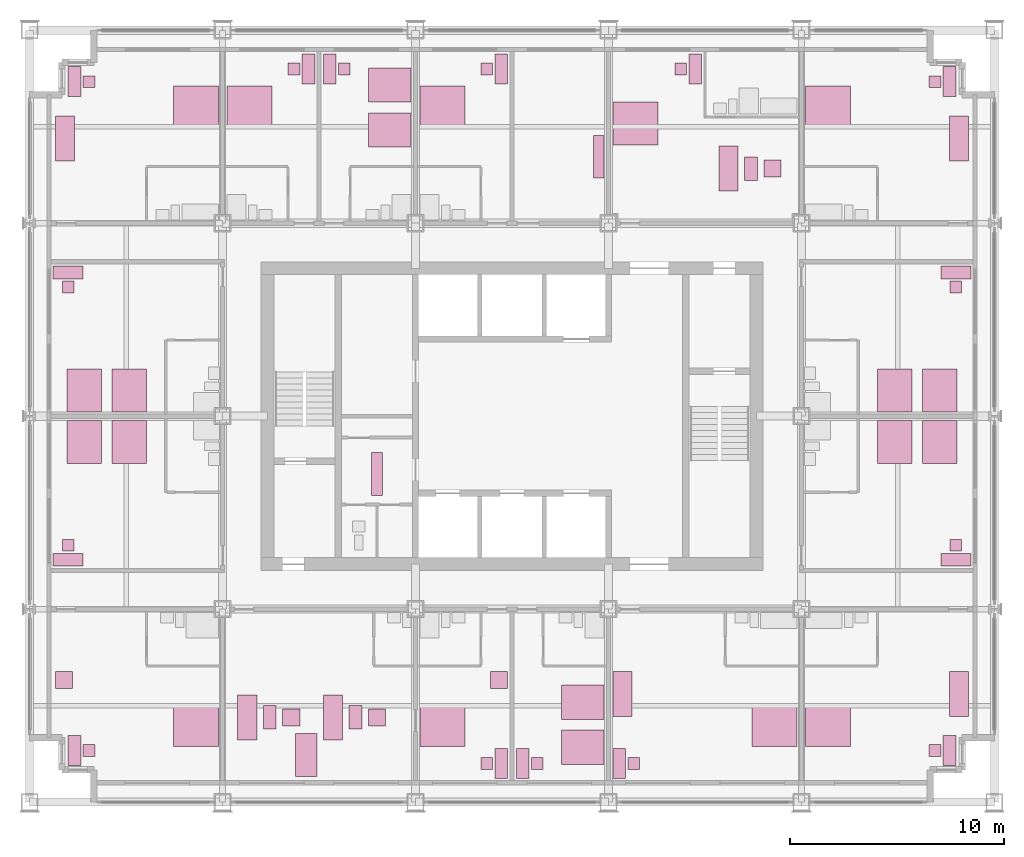
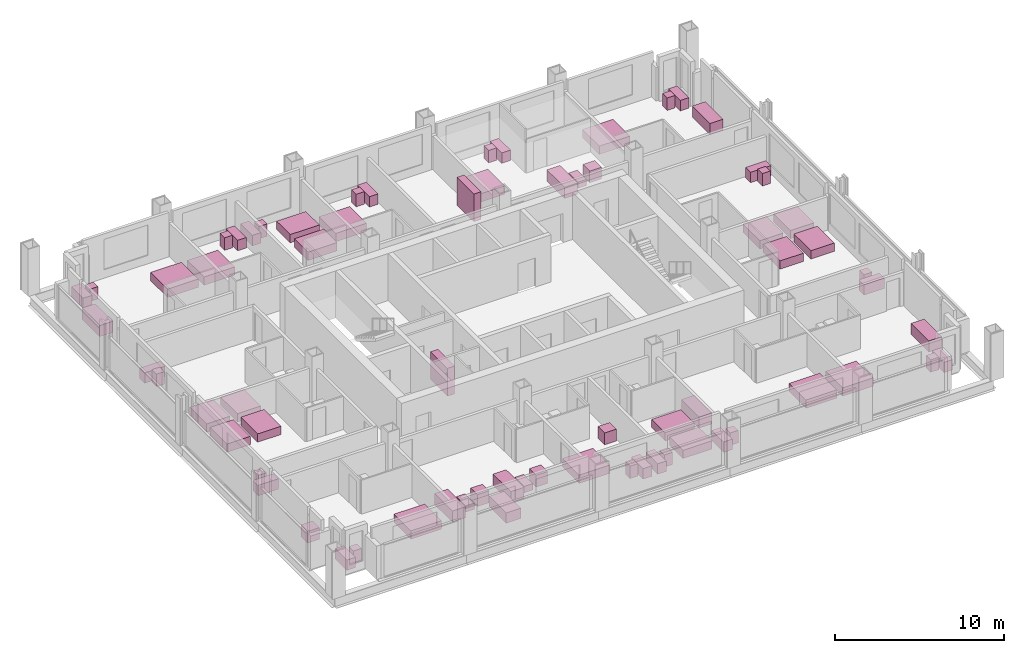
# One storey, part 16 of 16: 69 furniture elements.
"""IFC4 building model written with IfcOpenShell, lengths in metres."""

from ifc_helpers import new_model, si_unit, direction, frame, origin, origin_2d, place, context, subcontext, project, spatial, rectangle, extrude, element, save


model = new_model("IFC4")

# Units and contexts
model_context = context("Model", 3, precision=1e-05, world=origin(), true_north=direction((0.0, 1.0)))
body_context = subcontext(model_context, "Body", "Model", "MODEL_VIEW")
ifc_project = project(units=[si_unit("LENGTHUNIT", "METRE"), si_unit("AREAUNIT", "SQUARE_METRE"), si_unit("VOLUMEUNIT", "CUBIC_METRE"), si_unit("PLANEANGLEUNIT", "RADIAN"), si_unit("MASSUNIT", "GRAM", prefix="KILO")], contexts=[model_context])

# Site, building, storey
site_placement = place(None, origin())
site = spatial("IfcSite", under=ifc_project, at=site_placement, CompositionType="ELEMENT")
building_placement = place(site_placement, origin())
building = spatial("IfcBuilding", under=site, at=building_placement, Name="Loomwork Tower", CompositionType="ELEMENT")
storey_placement = place(building_placement, frame((0.0, 0.0, 128.199951171875)))
storey = spatial("IfcBuildingStorey", under=building, at=storey_placement, Name="L34", CompositionType="ELEMENT", Elevation=128.199951171875)

# Furniture
furniture_1_placement = place(storey_placement, frame((7.75, 3.60009765625, 0.0), z_axis=(0.0, 0.0, 1.0), x_axis=(1.0, 0.0, 0.0)))
element("IfcFurniture", 1, at=furniture_1_placement, inside=storey, Name="King bed L34", PredefinedType="BED", context=body_context, shape_type="SweptSolid", body=[
    extrude(rectangle(XDim=2.10009765625, YDim=2.0, at=origin_2d()), origin(), (0.0, 0.0, 1.0), 0.60009765625),
])
furniture_2_placement = place(storey_placement, frame((2.10009765625, 2.39990234375, 0.0), z_axis=(0.0, 0.0, 1.0), x_axis=(1.0, 0.0, 0.0)))
element("IfcFurniture", 2, at=furniture_2_placement, inside=storey, Name="Writing desk L34", PredefinedType="DESK", context=body_context, shape_type="SweptSolid", body=[
    extrude(rectangle(XDim=0.60009765625, YDim=1.39990234375, at=origin_2d()), origin(), (0.0, 0.0, 1.0), 0.75),
])
furniture_3_placement = place(storey_placement, frame((2.77490234375, 2.39990234375, 0.0), z_axis=(0.0, 0.0, 1.0), x_axis=(1.0, 0.0, 0.0)))
element("IfcFurniture", 3, at=furniture_3_placement, inside=storey, Name="Desk chair L34", PredefinedType="CHAIR", context=body_context, shape_type="SweptSolid", body=[
    extrude(rectangle(XDim=0.550048828125, YDim=0.550048828125, at=origin_2d()), origin(), (0.0, 0.0, 1.0), 0.89990234375),
])
furniture_4_placement = place(storey_placement, frame((1.60009765625, 5.699951171875, 0.0), z_axis=(0.0, 0.0, 1.0), x_axis=(1.0, 0.0, 0.0)))
element("IfcFurniture", 4, at=furniture_4_placement, inside=storey, Name="Lounge armchair L34", PredefinedType="CHAIR", context=body_context, shape_type="SweptSolid", body=[
    extrude(rectangle(XDim=0.800048828125, YDim=0.800048828125, at=origin_2d()), origin(), (0.0, 0.0, 1.0), 0.85009765625),
])
furniture_5_placement = place(storey_placement, frame((10.14990234375, 3.949951171875, 0.0), z_axis=(0.0, 0.0, 1.0), x_axis=(1.0, 0.0, 0.0)))
element("IfcFurniture", 5, at=furniture_5_placement, inside=storey, Name="Sofa L34", PredefinedType="SOFA", context=body_context, shape_type="SweptSolid", body=[
    extrude(rectangle(XDim=0.89990234375, YDim=2.10009765625, at=origin_2d()), origin(), (0.0, 0.0, 1.0), 0.800048828125),
])
furniture_6_placement = place(storey_placement, frame((11.199951171875, 3.949951171875, 0.0), z_axis=(0.0, 0.0, 1.0), x_axis=(1.0, 0.0, 0.0)))
element("IfcFurniture", 6, at=furniture_6_placement, inside=storey, Name="Coffee table L34", PredefinedType="TABLE", context=body_context, shape_type="SweptSolid", body=[
    extrude(rectangle(XDim=0.60009765625, YDim=1.10009765625, at=origin_2d()), origin(), (0.0, 0.0, 1.0), 0.449951171875),
])
furniture_7_placement = place(storey_placement, frame((12.199951171875, 3.949951171875, 0.0), z_axis=(0.0, 0.0, 1.0), x_axis=(1.0, 0.0, 0.0)))
element("IfcFurniture", 7, at=furniture_7_placement, inside=storey, Name="Lounge armchair L34", PredefinedType="CHAIR", context=body_context, shape_type="SweptSolid", body=[
    extrude(rectangle(XDim=0.800048828125, YDim=0.800048828125, at=origin_2d()), origin(), (0.0, 0.0, 1.0), 0.85009765625),
])
furniture_8_placement = place(storey_placement, frame((14.14990234375, 3.949951171875, 0.0), z_axis=(0.0, 0.0, 1.0), x_axis=(1.0, 0.0, 0.0)))
element("IfcFurniture", 8, at=furniture_8_placement, inside=storey, Name="Sofa L34", PredefinedType="SOFA", context=body_context, shape_type="SweptSolid", body=[
    extrude(rectangle(XDim=0.89990234375, YDim=2.10009765625, at=origin_2d()), origin(), (0.0, 0.0, 1.0), 0.800048828125),
])
furniture_9_placement = place(storey_placement, frame((15.199951171875, 3.949951171875, 0.0), z_axis=(0.0, 0.0, 1.0), x_axis=(1.0, 0.0, 0.0)))
element("IfcFurniture", 9, at=furniture_9_placement, inside=storey, Name="Coffee table L34", PredefinedType="TABLE", context=body_context, shape_type="SweptSolid", body=[
    extrude(rectangle(XDim=0.60009765625, YDim=1.10009765625, at=origin_2d()), origin(), (0.0, 0.0, 1.0), 0.449951171875),
])
furniture_10_placement = place(storey_placement, frame((16.199951171875, 3.949951171875, 0.0), z_axis=(0.0, 0.0, 1.0), x_axis=(1.0, 0.0, 0.0)))
element("IfcFurniture", 10, at=furniture_10_placement, inside=storey, Name="Lounge armchair L34", PredefinedType="CHAIR", context=body_context, shape_type="SweptSolid", body=[
    extrude(rectangle(XDim=0.800048828125, YDim=0.800048828125, at=origin_2d()), origin(), (0.0, 0.0, 1.0), 0.85009765625),
])
furniture_11_placement = place(storey_placement, frame((12.89990234375, 2.199951171875, 0.0), z_axis=(0.0, 0.0, 1.0), x_axis=(1.0, 0.0, 0.0)))
element("IfcFurniture", 11, at=furniture_11_placement, inside=storey, Name="Dining table L34", PredefinedType="TABLE", context=body_context, shape_type="SweptSolid", body=[
    extrude(rectangle(XDim=1.0, YDim=2.0, at=origin_2d()), origin(), (0.0, 0.0, 1.0), 0.75),
])
furniture_12_placement = place(storey_placement, frame((19.25, 3.60009765625, 0.0), z_axis=(0.0, 0.0, 1.0), x_axis=(1.0, 0.0, 0.0)))
element("IfcFurniture", 12, at=furniture_12_placement, inside=storey, Name="King bed L34", PredefinedType="BED", context=body_context, shape_type="SweptSolid", body=[
    extrude(rectangle(XDim=2.10009765625, YDim=2.0, at=origin_2d()), origin(), (0.0, 0.0, 1.0), 0.60009765625),
])
furniture_13_placement = place(storey_placement, frame((22.0, 1.800048828125, 0.0), z_axis=(0.0, 0.0, 1.0), x_axis=(1.0, 0.0, 0.0)))
element("IfcFurniture", 13, at=furniture_13_placement, inside=storey, Name="Writing desk L34", PredefinedType="DESK", context=body_context, shape_type="SweptSolid", body=[
    extrude(rectangle(XDim=0.60009765625, YDim=1.39990234375, at=origin_2d()), origin(), (0.0, 0.0, 1.0), 0.75),
])
furniture_14_placement = place(storey_placement, frame((21.324951171875, 1.800048828125, 0.0), z_axis=(0.0, 0.0, 1.0), x_axis=(1.0, 0.0, 0.0)))
element("IfcFurniture", 14, at=furniture_14_placement, inside=storey, Name="Desk chair L34", PredefinedType="CHAIR", context=body_context, shape_type="SweptSolid", body=[
    extrude(rectangle(XDim=0.550048828125, YDim=0.550048828125, at=origin_2d()), origin(), (0.0, 0.0, 1.0), 0.89990234375),
])
furniture_15_placement = place(storey_placement, frame((21.89990234375, 5.699951171875, 0.0), z_axis=(0.0, 0.0, 1.0), x_axis=(1.0, 0.0, 0.0)))
element("IfcFurniture", 15, at=furniture_15_placement, inside=storey, Name="Lounge armchair L34", PredefinedType="CHAIR", context=body_context, shape_type="SweptSolid", body=[
    extrude(rectangle(XDim=0.800048828125, YDim=0.800048828125, at=origin_2d()), origin(), (0.0, 0.0, 1.0), 0.85009765625),
])
for number, where, z_axis, x_axis, name in (
    (16, (25.800048828125, 4.64990234375, 0.0), (0.0, 0.0, 1.0), (1.0, 0.0, 0.0), "Queen bed L34"),
    (17, (25.800048828125, 2.550048828125, 0.0), (0.0, 0.0, 1.0), (1.0, 0.0, 0.0), "Queen bed L34"),
):
    element("IfcFurniture", number, at=place(storey_placement, frame(where, z_axis=z_axis, x_axis=x_axis)), inside=storey, Name=name, PredefinedType="BED", context=body_context, shape_type="SweptSolid", body=[
        extrude(rectangle(XDim=2.0, YDim=1.60009765625, at=origin_2d()), origin(), (0.0, 0.0, 1.0), 0.60009765625),
    ])
furniture_16_placement = place(storey_placement, frame((23.0, 1.800048828125, 0.0), z_axis=(0.0, 0.0, 1.0), x_axis=(1.0, 0.0, 0.0)))
element("IfcFurniture", 18, at=furniture_16_placement, inside=storey, Name="Writing desk L34", PredefinedType="DESK", context=body_context, shape_type="SweptSolid", body=[
    extrude(rectangle(XDim=0.60009765625, YDim=1.39990234375, at=origin_2d()), origin(), (0.0, 0.0, 1.0), 0.75),
])
furniture_17_placement = place(storey_placement, frame((23.675048828125, 1.800048828125, 0.0), z_axis=(0.0, 0.0, 1.0), x_axis=(1.0, 0.0, 0.0)))
element("IfcFurniture", 19, at=furniture_17_placement, inside=storey, Name="Desk chair L34", PredefinedType="CHAIR", context=body_context, shape_type="SweptSolid", body=[
    extrude(rectangle(XDim=0.550048828125, YDim=0.550048828125, at=origin_2d()), origin(), (0.0, 0.0, 1.0), 0.89990234375),
])
furniture_18_placement = place(storey_placement, frame((34.75, 3.60009765625, 0.0), z_axis=(0.0, 0.0, 1.0), x_axis=(1.0, 0.0, 0.0)))
element("IfcFurniture", 20, at=furniture_18_placement, inside=storey, Name="King bed L34", PredefinedType="BED", context=body_context, shape_type="SweptSolid", body=[
    extrude(rectangle(XDim=2.10009765625, YDim=2.0, at=origin_2d()), origin(), (0.0, 0.0, 1.0), 0.60009765625),
])
furniture_19_placement = place(storey_placement, frame((27.5, 1.800048828125, 0.0), z_axis=(0.0, 0.0, 1.0), x_axis=(1.0, 0.0, 0.0)))
element("IfcFurniture", 21, at=furniture_19_placement, inside=storey, Name="Writing desk L34", PredefinedType="DESK", context=body_context, shape_type="SweptSolid", body=[
    extrude(rectangle(XDim=0.60009765625, YDim=1.39990234375, at=origin_2d()), origin(), (0.0, 0.0, 1.0), 0.75),
])
furniture_20_placement = place(storey_placement, frame((28.175048828125, 1.800048828125, 0.0), z_axis=(0.0, 0.0, 1.0), x_axis=(1.0, 0.0, 0.0)))
element("IfcFurniture", 22, at=furniture_20_placement, inside=storey, Name="Desk chair L34", PredefinedType="CHAIR", context=body_context, shape_type="SweptSolid", body=[
    extrude(rectangle(XDim=0.550048828125, YDim=0.550048828125, at=origin_2d()), origin(), (0.0, 0.0, 1.0), 0.89990234375),
])
furniture_21_placement = place(storey_placement, frame((27.64990234375, 5.050048828125, 0.0), z_axis=(0.0, 0.0, 1.0), x_axis=(1.0, 0.0, 0.0)))
element("IfcFurniture", 23, at=furniture_21_placement, inside=storey, Name="Sofa L34", PredefinedType="SOFA", context=body_context, shape_type="SweptSolid", body=[
    extrude(rectangle(XDim=0.89990234375, YDim=2.10009765625, at=origin_2d()), origin(), (0.0, 0.0, 1.0), 0.800048828125),
])
furniture_22_placement = place(storey_placement, frame((37.25, 3.60009765625, 0.0), z_axis=(0.0, 0.0, 1.0), x_axis=(1.0, 0.0, 0.0)))
element("IfcFurniture", 24, at=furniture_22_placement, inside=storey, Name="King bed L34", PredefinedType="BED", context=body_context, shape_type="SweptSolid", body=[
    extrude(rectangle(XDim=2.10009765625, YDim=2.0, at=origin_2d()), origin(), (0.0, 0.0, 1.0), 0.60009765625),
])
furniture_23_placement = place(storey_placement, frame((42.89990234375, 2.39990234375, 0.0), z_axis=(0.0, 0.0, 1.0), x_axis=(1.0, 0.0, 0.0)))
element("IfcFurniture", 25, at=furniture_23_placement, inside=storey, Name="Writing desk L34", PredefinedType="DESK", context=body_context, shape_type="SweptSolid", body=[
    extrude(rectangle(XDim=0.60009765625, YDim=1.39990234375, at=origin_2d()), origin(), (0.0, 0.0, 1.0), 0.75),
])
furniture_24_placement = place(storey_placement, frame((42.22509765625, 2.39990234375, 0.0), z_axis=(0.0, 0.0, 1.0), x_axis=(1.0, 0.0, 0.0)))
element("IfcFurniture", 26, at=furniture_24_placement, inside=storey, Name="Desk chair L34", PredefinedType="CHAIR", context=body_context, shape_type="SweptSolid", body=[
    extrude(rectangle(XDim=0.550048828125, YDim=0.550048828125, at=origin_2d()), origin(), (0.0, 0.0, 1.0), 0.89990234375),
])
furniture_25_placement = place(storey_placement, frame((43.35009765625, 5.050048828125, 0.0), z_axis=(0.0, 0.0, 1.0), x_axis=(1.0, 0.0, 0.0)))
element("IfcFurniture", 27, at=furniture_25_placement, inside=storey, Name="Sofa L34", PredefinedType="SOFA", context=body_context, shape_type="SweptSolid", body=[
    extrude(rectangle(XDim=0.89990234375, YDim=2.10009765625, at=origin_2d()), origin(), (0.0, 0.0, 1.0), 0.800048828125),
])
furniture_26_placement = place(storey_placement, frame((7.75, 32.39990234375, 0.0), z_axis=(0.0, 0.0, 1.0), x_axis=(1.0, 0.0, 0.0)))
element("IfcFurniture", 28, at=furniture_26_placement, inside=storey, Name="King bed L34", PredefinedType="BED", context=body_context, shape_type="SweptSolid", body=[
    extrude(rectangle(XDim=2.10009765625, YDim=2.0, at=origin_2d()), origin(), (0.0, 0.0, 1.0), 0.60009765625),
])
furniture_27_placement = place(storey_placement, frame((2.10009765625, 33.60009765625, 0.0), z_axis=(0.0, 0.0, 1.0), x_axis=(1.0, 0.0, 0.0)))
element("IfcFurniture", 29, at=furniture_27_placement, inside=storey, Name="Writing desk L34", PredefinedType="DESK", context=body_context, shape_type="SweptSolid", body=[
    extrude(rectangle(XDim=0.60009765625, YDim=1.39990234375, at=origin_2d()), origin(), (0.0, 0.0, 1.0), 0.75),
])
furniture_28_placement = place(storey_placement, frame((2.77490234375, 33.60009765625, 0.0), z_axis=(0.0, 0.0, 1.0), x_axis=(1.0, 0.0, 0.0)))
element("IfcFurniture", 30, at=furniture_28_placement, inside=storey, Name="Desk chair L34", PredefinedType="CHAIR", context=body_context, shape_type="SweptSolid", body=[
    extrude(rectangle(XDim=0.550048828125, YDim=0.550048828125, at=origin_2d()), origin(), (0.0, 0.0, 1.0), 0.89990234375),
])
furniture_29_placement = place(storey_placement, frame((1.64990234375, 30.949951171875, 0.0), z_axis=(0.0, 0.0, 1.0), x_axis=(1.0, 0.0, 0.0)))
element("IfcFurniture", 31, at=furniture_29_placement, inside=storey, Name="Sofa L34", PredefinedType="SOFA", context=body_context, shape_type="SweptSolid", body=[
    extrude(rectangle(XDim=0.89990234375, YDim=2.10009765625, at=origin_2d()), origin(), (0.0, 0.0, 1.0), 0.800048828125),
])
furniture_30_placement = place(storey_placement, frame((10.25, 32.39990234375, 0.0), z_axis=(0.0, 0.0, 1.0), x_axis=(1.0, 0.0, 0.0)))
element("IfcFurniture", 32, at=furniture_30_placement, inside=storey, Name="King bed L34", PredefinedType="BED", context=body_context, shape_type="SweptSolid", body=[
    extrude(rectangle(XDim=2.10009765625, YDim=2.0, at=origin_2d()), origin(), (0.0, 0.0, 1.0), 0.60009765625),
])
furniture_31_placement = place(storey_placement, frame((13.0, 34.199951171875, 0.0), z_axis=(0.0, 0.0, 1.0), x_axis=(1.0, 0.0, 0.0)))
element("IfcFurniture", 33, at=furniture_31_placement, inside=storey, Name="Writing desk L34", PredefinedType="DESK", context=body_context, shape_type="SweptSolid", body=[
    extrude(rectangle(XDim=0.60009765625, YDim=1.39990234375, at=origin_2d()), origin(), (0.0, 0.0, 1.0), 0.75),
])
furniture_32_placement = place(storey_placement, frame((12.324951171875, 34.199951171875, 0.0), z_axis=(0.0, 0.0, 1.0), x_axis=(1.0, 0.0, 0.0)))
element("IfcFurniture", 34, at=furniture_32_placement, inside=storey, Name="Desk chair L34", PredefinedType="CHAIR", context=body_context, shape_type="SweptSolid", body=[
    extrude(rectangle(XDim=0.550048828125, YDim=0.550048828125, at=origin_2d()), origin(), (0.0, 0.0, 1.0), 0.89990234375),
])
for number, where, z_axis, x_axis, name in (
    (35, (16.800048828125, 31.35009765625, 0.0), (0.0, 0.0, 1.0), (1.0, 0.0, 0.0), "Queen bed L34"),
    (36, (16.800048828125, 33.449951171875, 0.0), (0.0, 0.0, 1.0), (1.0, 0.0, 0.0), "Queen bed L34"),
):
    element("IfcFurniture", number, at=place(storey_placement, frame(where, z_axis=z_axis, x_axis=x_axis)), inside=storey, Name=name, PredefinedType="BED", context=body_context, shape_type="SweptSolid", body=[
        extrude(rectangle(XDim=2.0, YDim=1.60009765625, at=origin_2d()), origin(), (0.0, 0.0, 1.0), 0.60009765625),
    ])
furniture_33_placement = place(storey_placement, frame((14.0, 34.199951171875, 0.0), z_axis=(0.0, 0.0, 1.0), x_axis=(1.0, 0.0, 0.0)))
element("IfcFurniture", 37, at=furniture_33_placement, inside=storey, Name="Writing desk L34", PredefinedType="DESK", context=body_context, shape_type="SweptSolid", body=[
    extrude(rectangle(XDim=0.60009765625, YDim=1.39990234375, at=origin_2d()), origin(), (0.0, 0.0, 1.0), 0.75),
])
furniture_34_placement = place(storey_placement, frame((14.675048828125, 34.199951171875, 0.0), z_axis=(0.0, 0.0, 1.0), x_axis=(1.0, 0.0, 0.0)))
element("IfcFurniture", 38, at=furniture_34_placement, inside=storey, Name="Desk chair L34", PredefinedType="CHAIR", context=body_context, shape_type="SweptSolid", body=[
    extrude(rectangle(XDim=0.550048828125, YDim=0.550048828125, at=origin_2d()), origin(), (0.0, 0.0, 1.0), 0.89990234375),
])
furniture_35_placement = place(storey_placement, frame((19.25, 32.39990234375, 0.0), z_axis=(0.0, 0.0, 1.0), x_axis=(1.0, 0.0, 0.0)))
element("IfcFurniture", 39, at=furniture_35_placement, inside=storey, Name="King bed L34", PredefinedType="BED", context=body_context, shape_type="SweptSolid", body=[
    extrude(rectangle(XDim=2.10009765625, YDim=2.0, at=origin_2d()), origin(), (0.0, 0.0, 1.0), 0.60009765625),
])
furniture_36_placement = place(storey_placement, frame((22.0, 34.199951171875, 0.0), z_axis=(0.0, 0.0, 1.0), x_axis=(1.0, 0.0, 0.0)))
element("IfcFurniture", 40, at=furniture_36_placement, inside=storey, Name="Writing desk L34", PredefinedType="DESK", context=body_context, shape_type="SweptSolid", body=[
    extrude(rectangle(XDim=0.60009765625, YDim=1.39990234375, at=origin_2d()), origin(), (0.0, 0.0, 1.0), 0.75),
])
furniture_37_placement = place(storey_placement, frame((21.324951171875, 34.199951171875, 0.0), z_axis=(0.0, 0.0, 1.0), x_axis=(1.0, 0.0, 0.0)))
element("IfcFurniture", 41, at=furniture_37_placement, inside=storey, Name="Desk chair L34", PredefinedType="CHAIR", context=body_context, shape_type="SweptSolid", body=[
    extrude(rectangle(XDim=0.550048828125, YDim=0.550048828125, at=origin_2d()), origin(), (0.0, 0.0, 1.0), 0.89990234375),
])
furniture_38_placement = place(storey_placement, frame((26.550048828125, 30.10009765625, 0.0), z_axis=(0.0, 0.0, 1.0), x_axis=(1.0, 0.0, 0.0)))
element("IfcFurniture", 42, at=furniture_38_placement, inside=storey, Name="Linen shelving L34", PredefinedType="SHELF", context=body_context, shape_type="SweptSolid", body=[
    extrude(rectangle(XDim=0.5, YDim=2.0, at=origin_2d()), origin(), (0.0, 0.0, 1.0), 2.0),
])
furniture_39_placement = place(storey_placement, frame((28.25, 31.64990234375, 0.0), z_axis=(0.0, 0.0, 1.0), x_axis=(1.0, 0.0, 0.0)))
element("IfcFurniture", 43, at=furniture_39_placement, inside=storey, Name="King bed L34", PredefinedType="BED", context=body_context, shape_type="SweptSolid", body=[
    extrude(rectangle(XDim=2.10009765625, YDim=2.0, at=origin_2d()), origin(), (0.0, 0.0, 1.0), 0.60009765625),
])
furniture_40_placement = place(storey_placement, frame((31.050048828125, 34.199951171875, 0.0), z_axis=(0.0, 0.0, 1.0), x_axis=(1.0, 0.0, 0.0)))
element("IfcFurniture", 44, at=furniture_40_placement, inside=storey, Name="Writing desk L34", PredefinedType="DESK", context=body_context, shape_type="SweptSolid", body=[
    extrude(rectangle(XDim=0.60009765625, YDim=1.39990234375, at=origin_2d()), origin(), (0.0, 0.0, 1.0), 0.75),
])
furniture_41_placement = place(storey_placement, frame((30.375, 34.199951171875, 0.0), z_axis=(0.0, 0.0, 1.0), x_axis=(1.0, 0.0, 0.0)))
element("IfcFurniture", 45, at=furniture_41_placement, inside=storey, Name="Desk chair L34", PredefinedType="CHAIR", context=body_context, shape_type="SweptSolid", body=[
    extrude(rectangle(XDim=0.550048828125, YDim=0.550048828125, at=origin_2d()), origin(), (0.0, 0.0, 1.0), 0.89990234375),
])
furniture_42_placement = place(storey_placement, frame((32.60009765625, 29.550048828125, 0.0), z_axis=(0.0, 0.0, 1.0), x_axis=(1.0, 0.0, 0.0)))
element("IfcFurniture", 46, at=furniture_42_placement, inside=storey, Name="Sofa L34", PredefinedType="SOFA", context=body_context, shape_type="SweptSolid", body=[
    extrude(rectangle(XDim=0.89990234375, YDim=2.10009765625, at=origin_2d()), origin(), (0.0, 0.0, 1.0), 0.800048828125),
])
furniture_43_placement = place(storey_placement, frame((33.64990234375, 29.550048828125, 0.0), z_axis=(0.0, 0.0, 1.0), x_axis=(1.0, 0.0, 0.0)))
element("IfcFurniture", 47, at=furniture_43_placement, inside=storey, Name="Coffee table L34", PredefinedType="TABLE", context=body_context, shape_type="SweptSolid", body=[
    extrude(rectangle(XDim=0.60009765625, YDim=1.10009765625, at=origin_2d()), origin(), (0.0, 0.0, 1.0), 0.449951171875),
])
furniture_44_placement = place(storey_placement, frame((34.64990234375, 29.550048828125, 0.0), z_axis=(0.0, 0.0, 1.0), x_axis=(1.0, 0.0, 0.0)))
element("IfcFurniture", 48, at=furniture_44_placement, inside=storey, Name="Lounge armchair L34", PredefinedType="CHAIR", context=body_context, shape_type="SweptSolid", body=[
    extrude(rectangle(XDim=0.800048828125, YDim=0.800048828125, at=origin_2d()), origin(), (0.0, 0.0, 1.0), 0.85009765625),
])
furniture_45_placement = place(storey_placement, frame((37.25, 32.39990234375, 0.0), z_axis=(0.0, 0.0, 1.0), x_axis=(1.0, 0.0, 0.0)))
element("IfcFurniture", 49, at=furniture_45_placement, inside=storey, Name="King bed L34", PredefinedType="BED", context=body_context, shape_type="SweptSolid", body=[
    extrude(rectangle(XDim=2.10009765625, YDim=2.0, at=origin_2d()), origin(), (0.0, 0.0, 1.0), 0.60009765625),
])
furniture_46_placement = place(storey_placement, frame((42.89990234375, 33.60009765625, 0.0), z_axis=(0.0, 0.0, 1.0), x_axis=(1.0, 0.0, 0.0)))
element("IfcFurniture", 50, at=furniture_46_placement, inside=storey, Name="Writing desk L34", PredefinedType="DESK", context=body_context, shape_type="SweptSolid", body=[
    extrude(rectangle(XDim=0.60009765625, YDim=1.39990234375, at=origin_2d()), origin(), (0.0, 0.0, 1.0), 0.75),
])
furniture_47_placement = place(storey_placement, frame((42.22509765625, 33.60009765625, 0.0), z_axis=(0.0, 0.0, 1.0), x_axis=(1.0, 0.0, 0.0)))
element("IfcFurniture", 51, at=furniture_47_placement, inside=storey, Name="Desk chair L34", PredefinedType="CHAIR", context=body_context, shape_type="SweptSolid", body=[
    extrude(rectangle(XDim=0.550048828125, YDim=0.550048828125, at=origin_2d()), origin(), (0.0, 0.0, 1.0), 0.89990234375),
])
furniture_48_placement = place(storey_placement, frame((43.35009765625, 30.949951171875, 0.0), z_axis=(0.0, 0.0, 1.0), x_axis=(1.0, 0.0, 0.0)))
element("IfcFurniture", 52, at=furniture_48_placement, inside=storey, Name="Sofa L34", PredefinedType="SOFA", context=body_context, shape_type="SweptSolid", body=[
    extrude(rectangle(XDim=0.89990234375, YDim=2.10009765625, at=origin_2d()), origin(), (0.0, 0.0, 1.0), 0.800048828125),
])
for number, where, z_axis, x_axis, name in (
    (53, (4.64990234375, 16.800048828125, 0.0), (0.0, 0.0, 1.0), (1.0, 0.0, 0.0), "Queen bed L34"),
    (54, (2.550048828125, 16.800048828125, 0.0), (0.0, 0.0, 1.0), (1.0, 0.0, 0.0), "Queen bed L34"),
):
    element("IfcFurniture", number, at=place(storey_placement, frame(where, z_axis=z_axis, x_axis=x_axis)), inside=storey, Name=name, PredefinedType="BED", context=body_context, shape_type="SweptSolid", body=[
        extrude(rectangle(XDim=1.60009765625, YDim=2.0, at=origin_2d()), origin(), (0.0, 0.0, 1.0), 0.60009765625),
    ])
furniture_49_placement = place(storey_placement, frame((1.800048828125, 11.300048828125, 0.0), z_axis=(0.0, 0.0, 1.0), x_axis=(1.0, 0.0, 0.0)))
element("IfcFurniture", 55, at=furniture_49_placement, inside=storey, Name="Writing desk L34", PredefinedType="DESK", context=body_context, shape_type="SweptSolid", body=[
    extrude(rectangle(XDim=1.39990234375, YDim=0.60009765625, at=origin_2d()), origin(), (0.0, 0.0, 1.0), 0.75),
])
furniture_50_placement = place(storey_placement, frame((1.800048828125, 11.97509765625, 0.0), z_axis=(0.0, 0.0, 1.0), x_axis=(1.0, 0.0, 0.0)))
element("IfcFurniture", 56, at=furniture_50_placement, inside=storey, Name="Desk chair L34", PredefinedType="CHAIR", context=body_context, shape_type="SweptSolid", body=[
    extrude(rectangle(XDim=0.550048828125, YDim=0.550048828125, at=origin_2d()), origin(), (0.0, 0.0, 1.0), 0.89990234375),
])
for number, where, z_axis, x_axis, name in (
    (57, (4.64990234375, 19.199951171875, 0.0), (0.0, 0.0, 1.0), (1.0, 0.0, 0.0), "Queen bed L34"),
    (58, (2.550048828125, 19.199951171875, 0.0), (0.0, 0.0, 1.0), (1.0, 0.0, 0.0), "Queen bed L34"),
):
    element("IfcFurniture", number, at=place(storey_placement, frame(where, z_axis=z_axis, x_axis=x_axis)), inside=storey, Name=name, PredefinedType="BED", context=body_context, shape_type="SweptSolid", body=[
        extrude(rectangle(XDim=1.60009765625, YDim=2.0, at=origin_2d()), origin(), (0.0, 0.0, 1.0), 0.60009765625),
    ])
furniture_51_placement = place(storey_placement, frame((1.800048828125, 24.699951171875, 0.0), z_axis=(0.0, 0.0, 1.0), x_axis=(1.0, 0.0, 0.0)))
element("IfcFurniture", 59, at=furniture_51_placement, inside=storey, Name="Writing desk L34", PredefinedType="DESK", context=body_context, shape_type="SweptSolid", body=[
    extrude(rectangle(XDim=1.39990234375, YDim=0.60009765625, at=origin_2d()), origin(), (0.0, 0.0, 1.0), 0.75),
])
furniture_52_placement = place(storey_placement, frame((1.800048828125, 24.02490234375, 0.0), z_axis=(0.0, 0.0, 1.0), x_axis=(1.0, 0.0, 0.0)))
element("IfcFurniture", 60, at=furniture_52_placement, inside=storey, Name="Desk chair L34", PredefinedType="CHAIR", context=body_context, shape_type="SweptSolid", body=[
    extrude(rectangle(XDim=0.550048828125, YDim=0.550048828125, at=origin_2d()), origin(), (0.0, 0.0, 1.0), 0.89990234375),
])
for number, where, z_axis, x_axis, name in (
    (61, (40.35009765625, 16.800048828125, 0.0), (0.0, 0.0, 1.0), (1.0, 0.0, 0.0), "Queen bed L34"),
    (62, (42.449951171875, 16.800048828125, 0.0), (0.0, 0.0, 1.0), (1.0, 0.0, 0.0), "Queen bed L34"),
):
    element("IfcFurniture", number, at=place(storey_placement, frame(where, z_axis=z_axis, x_axis=x_axis)), inside=storey, Name=name, PredefinedType="BED", context=body_context, shape_type="SweptSolid", body=[
        extrude(rectangle(XDim=1.60009765625, YDim=2.0, at=origin_2d()), origin(), (0.0, 0.0, 1.0), 0.60009765625),
    ])
furniture_53_placement = place(storey_placement, frame((43.199951171875, 11.300048828125, 0.0), z_axis=(0.0, 0.0, 1.0), x_axis=(1.0, 0.0, 0.0)))
element("IfcFurniture", 63, at=furniture_53_placement, inside=storey, Name="Writing desk L34", PredefinedType="DESK", context=body_context, shape_type="SweptSolid", body=[
    extrude(rectangle(XDim=1.39990234375, YDim=0.60009765625, at=origin_2d()), origin(), (0.0, 0.0, 1.0), 0.75),
])
furniture_54_placement = place(storey_placement, frame((43.199951171875, 11.97509765625, 0.0), z_axis=(0.0, 0.0, 1.0), x_axis=(1.0, 0.0, 0.0)))
element("IfcFurniture", 64, at=furniture_54_placement, inside=storey, Name="Desk chair L34", PredefinedType="CHAIR", context=body_context, shape_type="SweptSolid", body=[
    extrude(rectangle(XDim=0.550048828125, YDim=0.550048828125, at=origin_2d()), origin(), (0.0, 0.0, 1.0), 0.89990234375),
])
for number, where, z_axis, x_axis, name in (
    (65, (40.35009765625, 19.199951171875, 0.0), (0.0, 0.0, 1.0), (1.0, 0.0, 0.0), "Queen bed L34"),
    (66, (42.449951171875, 19.199951171875, 0.0), (0.0, 0.0, 1.0), (1.0, 0.0, 0.0), "Queen bed L34"),
):
    element("IfcFurniture", number, at=place(storey_placement, frame(where, z_axis=z_axis, x_axis=x_axis)), inside=storey, Name=name, PredefinedType="BED", context=body_context, shape_type="SweptSolid", body=[
        extrude(rectangle(XDim=1.60009765625, YDim=2.0, at=origin_2d()), origin(), (0.0, 0.0, 1.0), 0.60009765625),
    ])
furniture_55_placement = place(storey_placement, frame((43.199951171875, 24.699951171875, 0.0), z_axis=(0.0, 0.0, 1.0), x_axis=(1.0, 0.0, 0.0)))
element("IfcFurniture", 67, at=furniture_55_placement, inside=storey, Name="Writing desk L34", PredefinedType="DESK", context=body_context, shape_type="SweptSolid", body=[
    extrude(rectangle(XDim=1.39990234375, YDim=0.60009765625, at=origin_2d()), origin(), (0.0, 0.0, 1.0), 0.75),
])
furniture_56_placement = place(storey_placement, frame((43.199951171875, 24.02490234375, 0.0), z_axis=(0.0, 0.0, 1.0), x_axis=(1.0, 0.0, 0.0)))
element("IfcFurniture", 68, at=furniture_56_placement, inside=storey, Name="Desk chair L34", PredefinedType="CHAIR", context=body_context, shape_type="SweptSolid", body=[
    extrude(rectangle(XDim=0.550048828125, YDim=0.550048828125, at=origin_2d()), origin(), (0.0, 0.0, 1.0), 0.89990234375),
])
furniture_57_placement = place(storey_placement, frame((16.199951171875, 15.300048828125, 0.0), z_axis=(0.0, 0.0, 1.0), x_axis=(1.0, 0.0, 0.0)))
element("IfcFurniture", 69, at=furniture_57_placement, inside=storey, Name="Linen shelving L34", PredefinedType="SHELF", context=body_context, shape_type="SweptSolid", body=[
    extrude(rectangle(XDim=0.5, YDim=2.0, at=origin_2d()), origin(), (0.0, 0.0, 1.0), 2.0),
])

save(model, "model.ifc")
